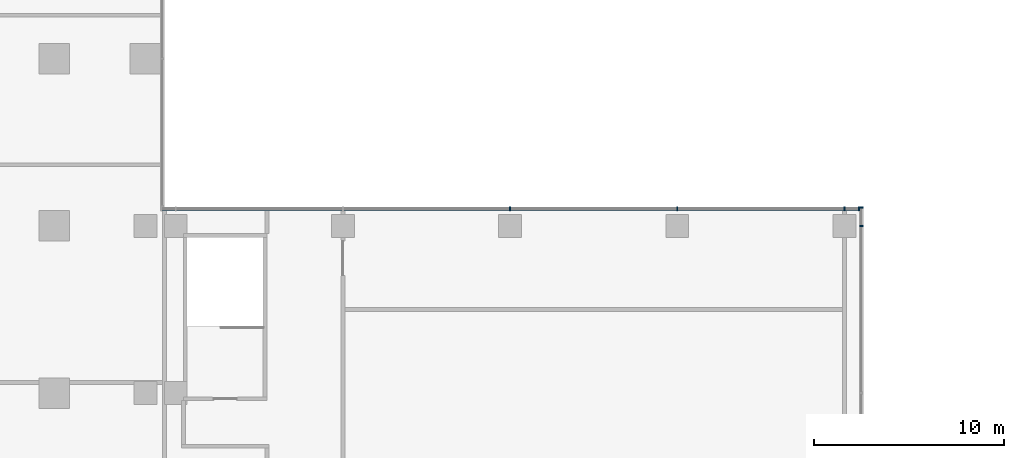
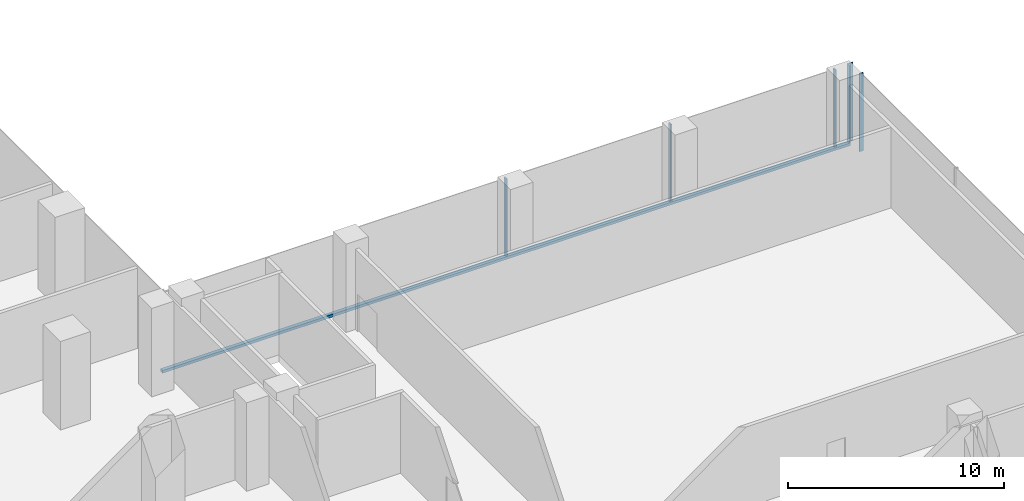
# One storey, part 9 of 27: 7 members, 2 elements without a shape of their own.
"""IFC4 building model written with IfcOpenShell, lengths in metres."""

from ifc_helpers import new_model, si_unit, direction, frame, origin, origin_2d, place, context, subcontext, project, spatial, rectangle, extrude, source, transform, mapped, material, material_profile, profile_set, type_object, element, aggregate, save


model = new_model("IFC4")

# Units and contexts
model_context = context("Model", 3, precision=1e-05, world=origin(), true_north=direction((0.0, 1.0)))
body_context = subcontext(model_context, "Body", "Model", "MODEL_VIEW")
ifc_project = project(units=[si_unit("LENGTHUNIT", "METRE"), si_unit("AREAUNIT", "SQUARE_METRE"), si_unit("VOLUMEUNIT", "CUBIC_METRE"), si_unit("PLANEANGLEUNIT", "RADIAN"), si_unit("MASSUNIT", "GRAM", prefix="KILO")], contexts=[model_context])

# Site, building, storey
site_placement = place(None, origin())
site = spatial("IfcSite", under=ifc_project, at=site_placement, CompositionType="ELEMENT")
building_placement = place(site_placement, origin())
building = spatial("IfcBuilding", under=site, at=building_placement, Name="Kemantara Hotel Tower", CompositionType="ELEMENT")
storey_placement = place(building_placement, frame((0.0, 0.0, 29.0)))
storey = spatial("IfcBuildingStorey", under=building, at=storey_placement, Name="L05", CompositionType="ELEMENT", Elevation=29.0)

# Curtain wall, member
ifc_material_1 = material(Name="Laminated tinted insulated glass 44 mm", Category="glass")
curtain_wall_type = type_object("IfcCurtainWallType", Name="PODIUM GLASS CURTAIN WALL", PredefinedType="USERDEFINED", material=ifc_material_1)
curtain_wall_1_placement = place(storey_placement, origin())
curtain_wall_1 = element("IfcCurtainWall", 1, at=curtain_wall_1_placement, inside=storey, type_object=curtain_wall_type, Name="CW1 L05 POD-R09-1", ObjectType="PODIUM GLASS CURTAIN WALL", PredefinedType="USERDEFINED")
ifc_material_2 = material(Name="Aluminium 6063-T6 bronze anodised", Category="aluminium")
ifc_material_profile_1 = material_profile(ifc_material_2, rectangle(XDim=0.199951171875, YDim=0.14990234375, at=origin_2d()), Name="PODIUM GLASS CURTAIN WALL TRANSOM")
ifc_profile_set_1 = profile_set([ifc_material_profile_1], Name="Aluminium 6063-T6 bronze anodised")
member_type_1 = type_object("IfcMemberType", Name="PODIUM GLASS CURTAIN WALL TRANSOM", PredefinedType="USERDEFINED", material=ifc_profile_set_1)
member_1_placement = place(storey_placement, frame((63.39990234375, 54.699951171875, 0.074951171875), z_axis=(-1.0, 0.0, 0.0), x_axis=(0.0, -1.0, 0.0)))
member_1 = element("IfcMember", 2, at=member_1_placement, type_object=member_type_1, Name="CW1 sill transom POD-R09-1", ObjectType="TRANSOM", PredefinedType="USERDEFINED", context=body_context, shape_type="SweptSolid", body=[
    extrude(rectangle(XDim=0.199951171875, YDim=0.14990234375, at=origin_2d()), origin(), (0.0, 0.0, 1.0), 36.7998046875),
])

# Curtain wall, members
curtain_wall_2_placement = place(storey_placement, origin())
curtain_wall_2 = element("IfcCurtainWall", 3, at=curtain_wall_2_placement, inside=storey, type_object=curtain_wall_type, Name="CW1 L05 POD-R08-1", ObjectType="PODIUM GLASS CURTAIN WALL", PredefinedType="USERDEFINED")
ifc_material_profile_2 = material_profile(ifc_material_2, rectangle(XDim=0.199951171875, YDim=0.074951171875, at=origin_2d()), Name="PODIUM GLASS CURTAIN WALL MULLION")
ifc_profile_set_2 = profile_set([ifc_material_profile_2], Name="Aluminium 6063-T6 bronze anodised")
member_type_2 = type_object("IfcMemberType", Name="PODIUM GLASS CURTAIN WALL MULLION", PredefinedType="MULLION", material=ifc_profile_set_2)
shared_shape = source(origin(), body_context, "Body", "SweptSolid", [
    extrude(rectangle(XDim=0.199951171875, YDim=0.074951171875, at=origin_2d()), origin(), (0.0, 0.0, 1.0), 4.400146484375),
])
member_2_placement = place(storey_placement, frame((63.5, 53.800048828125, 0.14990234375), z_axis=(0.0, 0.0, 1.0), x_axis=(-1.0, 0.0, 0.0)))
member_2 = element("IfcMember", 4, at=member_2_placement, type_object=member_type_2, Name="CW1 mullion POD-R08-1.5", PredefinedType="MULLION", context=body_context, shape_type="MappedRepresentation", body=[
    mapped(shared_shape, transform((0.0, 0.0, 0.0))),
])
member_3_placement = place(storey_placement, frame((63.5, 54.762451171875, 0.14990234375), z_axis=(0.0, 0.0, 1.0), x_axis=(-1.0, 0.0, 0.0)))
member_3 = element("IfcMember", 5, at=member_3_placement, type_object=member_type_2, Name="CW1 mullion POD-R08-1.6", PredefinedType="MULLION", context=body_context, shape_type="MappedRepresentation", body=[
    mapped(shared_shape, transform((0.0, 0.0, 0.0))),
])
aggregate(curtain_wall_2, [member_2, member_3])

# Member
member_4_placement = place(storey_placement, frame((63.362548828125, 54.699951171875, 0.14990234375), z_axis=(0.0, 0.0, 1.0), x_axis=(0.0, -1.0, 0.0)))
member_4 = element("IfcMember", 6, at=member_4_placement, type_object=member_type_2, Name="CW1 mullion POD-R09-1.1", PredefinedType="MULLION", context=body_context, shape_type="MappedRepresentation", body=[
    mapped(shared_shape, transform((0.0, 0.0, 0.0))),
])

member_5_placement = place(storey_placement, frame((62.60009765625, 54.699951171875, 0.14990234375), z_axis=(0.0, 0.0, 1.0), x_axis=(0.0, -1.0, 0.0)))
member_5 = element("IfcMember", 7, at=member_5_placement, type_object=member_type_2, Name="CW1 mullion POD-R09-1.2", PredefinedType="MULLION", context=body_context, shape_type="MappedRepresentation", body=[
    mapped(shared_shape, transform((0.0, 0.0, 0.0))),
])

member_6_placement = place(storey_placement, frame((53.800048828125, 54.699951171875, 0.14990234375), z_axis=(0.0, 0.0, 1.0), x_axis=(0.0, -1.0, 0.0)))
member_6 = element("IfcMember", 8, at=member_6_placement, type_object=member_type_2, Name="CW1 mullion POD-R09-1.3", PredefinedType="MULLION", context=body_context, shape_type="MappedRepresentation", body=[
    mapped(shared_shape, transform((0.0, 0.0, 0.0))),
])

member_7_placement = place(storey_placement, frame((45.0, 54.699951171875, 0.14990234375), z_axis=(0.0, 0.0, 1.0), x_axis=(0.0, -1.0, 0.0)))
member_7 = element("IfcMember", 9, at=member_7_placement, type_object=member_type_2, Name="CW1 mullion POD-R09-1.4", PredefinedType="MULLION", context=body_context, shape_type="MappedRepresentation", body=[
    mapped(shared_shape, transform((0.0, 0.0, 0.0))),
])

aggregate(curtain_wall_1, [member_1, member_4, member_5, member_6, member_7])

save(model, "model.ifc")
